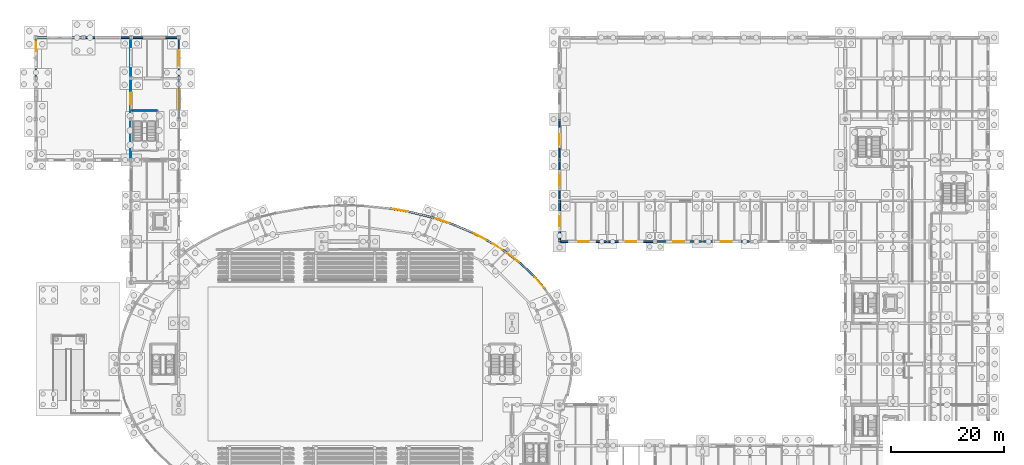
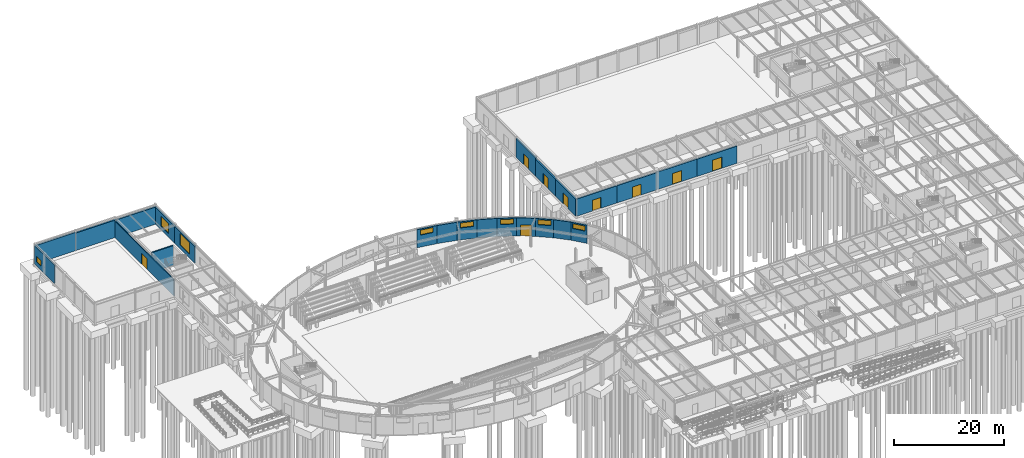
# One storey, part 61 of 93: 24 walls, 9 doors, 8 windows, 17 openings.
"""IFC4 building model written with IfcOpenShell, lengths in metres."""

from ifc_helpers import new_model, si_unit, derived_unit, direction, frame, frame_2d, origin, place, context, subcontext, project, spatial, rectangle, extrude, material, layer, layer_set, type_object, element, fill, save


model = new_model("IFC4")

# Units and contexts
model_context = context("Model", 3, precision=1e-05, world=origin(), true_north=direction((0.0, 1.0)))
body_context = subcontext(model_context, "Body", "Model", "MODEL_VIEW")
ifc_project = project(units=[si_unit("LENGTHUNIT", "METRE"), si_unit("AREAUNIT", "SQUARE_METRE"), si_unit("VOLUMEUNIT", "CUBIC_METRE"), si_unit("PLANEANGLEUNIT", "RADIAN"), si_unit("MASSUNIT", "GRAM", prefix="KILO"), derived_unit("THERMALTRANSMITTANCEUNIT", [(si_unit("MASSUNIT", "GRAM", prefix="KILO"), 1), (si_unit("TIMEUNIT", "SECOND"), -3), (si_unit("THERMODYNAMICTEMPERATUREUNIT", "KELVIN"), -1)])], contexts=[model_context])

# Site, building, storey
site_placement = place(None, origin())
site = spatial("IfcSite", under=ifc_project, at=site_placement, CompositionType="ELEMENT")
building_placement = place(site_placement, origin())
building = spatial("IfcBuilding", under=site, at=building_placement, Name="Kharveza Railside Sports Centre", CompositionType="ELEMENT")
storey_placement = place(building_placement, origin())
storey = spatial("IfcBuildingStorey", under=building, at=storey_placement, Name="L00", CompositionType="ELEMENT", Elevation=0.0)

# Walls
ifc_material_1 = material(Name="Acoustic mineral-wool metal cladding panel")
ifc_layer_1 = layer(ifc_material_1, 0.340087890625, Name="Acoustic mineral-wool metal cladding panel")
ifc_layer_set_1 = layer_set([ifc_layer_1], Name="Acoustic mineral-wool metal cladding panel")
wall_type_1 = type_object("IfcWallType", Name="WL-AC340", PredefinedType="STANDARD", material=ifc_layer_set_1)
wall_1_placement = place(storey_placement, frame((25.199951171875, 108.0, 0.0), z_axis=(0.0, 0.0, 1.0), x_axis=(-1.0, 0.0, 0.0)))
element("IfcWall", 1, at=wall_1_placement, inside=storey, type_object=wall_type_1, Name="WL-EXT-L00-074", PredefinedType="STANDARD", context=body_context, shape_type="SweptSolid", body=[
    extrude(rectangle(XDim=8.39990234375, YDim=0.340087890625, at=frame_2d((4.199951171875, 0.0))), origin(), (0.0, 0.0, 1.0), 3.804931640625),
])
wall_2_placement = place(storey_placement, frame((16.800048828125, 108.0, 0.0), z_axis=(0.0, 0.0, 1.0), x_axis=(-1.0, 0.0, 0.0)))
element("IfcWall", 2, at=wall_2_placement, inside=storey, type_object=wall_type_1, Name="WL-EXT-L00-075", PredefinedType="STANDARD", context=body_context, shape_type="SweptSolid", body=[
    extrude(rectangle(XDim=8.400146484375, YDim=0.340087890625, at=frame_2d((4.2001953125, 0.0))), origin(), (0.0, 0.0, 1.0), 3.864990234375),
])
wall_3_placement = place(storey_placement, frame((8.39990234375, 108.0, 0.0), z_axis=(0.0, 0.0, 1.0), x_axis=(-1.0, 0.0, 0.0)))
element("IfcWall", 3, at=wall_3_placement, inside=storey, type_object=wall_type_1, Name="WL-EXT-L00-076", PredefinedType="STANDARD", context=body_context, shape_type="SweptSolid", body=[
    extrude(rectangle(XDim=8.39990234375, YDim=0.340087890625, at=frame_2d((4.199951171875, 0.0))), origin(), (0.0, 0.0, 1.0), 4.044921875),
])
ifc_material_2 = material(Name="Concrete C35/45", Category="concrete")
ifc_layer_2 = layer(ifc_material_2, 0.300048828125, Name="Concrete C35/45")
ifc_layer_set_2 = layer_set([ifc_layer_2], Name="Concrete C35/45")
wall_type_2 = type_object("IfcWallType", Name="WL-CR300", PredefinedType="SHEAR", material=ifc_layer_set_2)
wall_4_placement = place(storey_placement, frame((21.449951171875, 95.14990234375, 0.0), z_axis=(0.0, 0.0, 1.0), x_axis=(-1.0, 0.0, 0.0)))
element("IfcWall", 4, at=wall_4_placement, inside=storey, type_object=wall_type_2, Name="WL-CORE-ST6-L00-N", PredefinedType="SHEAR", context=body_context, shape_type="SweptSolid", body=[
    extrude(rectangle(XDim=4.5, YDim=0.300048828125, at=frame_2d((2.25, 0.0))), origin(), (0.0, 0.0, 1.0), 4.320068359375),
])

# Wall, opening, window
ifc_material_3 = material(Name="Precast concrete C40/50", Category="concrete")
ifc_layer_3 = layer(ifc_material_3, 0.360107421875, Name="Precast concrete C40/50")
ifc_layer_set_3 = layer_set([ifc_layer_3], Name="Precast concrete C40/50")
wall_type_3 = type_object("IfcWallType", Name="WL-DR360", PredefinedType="STANDARD", material=ifc_layer_set_3)
wall_5_placement = place(storey_placement, frame((89.876953125, 63.59912109375, 0.0), z_axis=(0.0, 0.0, 1.0), x_axis=(-0.650389538769, 0.759600847722, 0.0)))
wall_5 = element("IfcWall", 5, at=wall_5_placement, inside=storey, type_object=wall_type_3, Name="WL-DRUM-L00-06", PredefinedType="STANDARD", context=body_context, shape_type="SweptSolid", body=[
    extrude(rectangle(XDim=3.102783203125, YDim=0.360107421875, at=frame_2d((1.55126953125, 0.0))), origin(), (0.0, 0.0, 1.0), 4.010009765625),
])
opening_1_placement = place(wall_5_placement, frame((0.351318359375, 0.0, 2.64990234375)))
opening_1 = element("IfcOpeningElement", 6, at=opening_1_placement, cuts=wall_5, Name="Opening WN09", PredefinedType="OPENING", context=body_context, shape_type="SweptSolid", body=[
    extrude(rectangle(XDim=2.39990234375, YDim=1.10009765625, at=frame_2d((1.199951171875, 0.550048828125))), frame((0.0, 0.205078125, 0.0), z_axis=(0.0, -1.0, 0.0), x_axis=(1.0, 0.0, 0.0)), (0.0, 0.0, 1.0), 0.409912109375),
])
ifc_material_4 = material(Name="Low-E solar-control laminated glass", Category="glass")
window_type_1 = type_object("IfcWindowType", Name="WN-F09", PartitioningType="SINGLE_PANEL", PredefinedType="WINDOW", material=ifc_material_4)
window_1_placement = place(opening_1_placement, origin())
window_1 = element("IfcWindow", 7, at=window_1_placement, inside=storey, type_object=window_type_1, Name="WN-DRUM-CL-06", OverallHeight=1.10009765625, OverallWidth=2.39990234375, PartitioningType="SINGLE_PANEL", PredefinedType="WINDOW", context=body_context, shape_type="SweptSolid", body=[
    extrude(rectangle(XDim=2.39990234375, YDim=1.10009765625, at=frame_2d((1.199951171875, 0.550048828125))), frame((0.0, 0.030029296875, 0.0), z_axis=(0.0, -1.0, 0.0), x_axis=(1.0, 0.0, 0.0)), (0.0, 0.0, 1.0), 0.06005859375),
])
fill(opening_1, window_1)

# Wall
wall_6_placement = place(storey_placement, frame((87.85888671875, 65.9560546875, 0.0), z_axis=(0.0, 0.0, 1.0), x_axis=(-0.727236314573, 0.686387166814, 0.0)))
element("IfcWall", 8, at=wall_6_placement, inside=storey, type_object=wall_type_3, Name="WL-DRUM-L00-07", PredefinedType="STANDARD", context=body_context, shape_type="SweptSolid", body=[
    extrude(rectangle(XDim=3.21533203125, YDim=0.360107421875, at=frame_2d((1.607666015625, 0.0))), origin(), (0.0, 0.0, 1.0), 4.010009765625),
])

# Wall, opening, window
wall_7_placement = place(storey_placement, frame((85.5205078125, 68.1630859375, 0.0), z_axis=(0.0, 0.0, 1.0), x_axis=(-0.791459061119, 0.611222181022, 0.0)))
wall_7 = element("IfcWall", 9, at=wall_7_placement, inside=storey, type_object=wall_type_3, Name="WL-DRUM-L00-08", PredefinedType="STANDARD", context=body_context, shape_type="SweptSolid", body=[
    extrude(rectangle(XDim=3.330810546875, YDim=0.360107421875, at=frame_2d((1.66552734375, 0.0))), origin(), (0.0, 0.0, 1.0), 4.010009765625),
])
opening_2_placement = place(wall_7_placement, frame((0.46533203125, 0.0, 2.64990234375)))
opening_2 = element("IfcOpeningElement", 10, at=opening_2_placement, cuts=wall_7, Name="Opening WN09", PredefinedType="OPENING", context=body_context, shape_type="SweptSolid", body=[
    extrude(rectangle(XDim=2.39990234375, YDim=1.10009765625, at=frame_2d((1.199951171875, 0.550048828125))), frame((0.0, 0.205078125, 0.0), z_axis=(0.0, -1.0, 0.0), x_axis=(1.0, 0.0, 0.0)), (0.0, 0.0, 1.0), 0.409912109375),
])
window_2_placement = place(opening_2_placement, origin())
window_2 = element("IfcWindow", 11, at=window_2_placement, inside=storey, type_object=window_type_1, Name="WN-DRUM-CL-08", OverallHeight=1.10009765625, OverallWidth=2.39990234375, PartitioningType="SINGLE_PANEL", PredefinedType="WINDOW", context=body_context, shape_type="SweptSolid", body=[
    extrude(rectangle(XDim=2.39990234375, YDim=1.10009765625, at=frame_2d((1.199951171875, 0.550048828125))), frame((0.0, 0.030029296875, 0.0), z_axis=(0.0, -1.0, 0.0), x_axis=(1.0, 0.0, 0.0)), (0.0, 0.0, 1.0), 0.06005859375),
])
fill(opening_2, window_2)

# Wall, opening, door
wall_8_placement = place(storey_placement, frame((82.88427734375, 70.198974609375, 0.0), z_axis=(0.0, 0.0, 1.0), x_axis=(-0.844399097538, 0.535714629329, 0.0)))
wall_8 = element("IfcWall", 12, at=wall_8_placement, inside=storey, type_object=wall_type_3, Name="WL-DRUM-L00-09", PredefinedType="STANDARD", context=body_context, shape_type="SweptSolid", body=[
    extrude(rectangle(XDim=3.4443359375, YDim=0.360107421875, at=frame_2d((1.72216796875, 0.0))), origin(), (0.0, 0.0, 1.0), 4.010009765625),
])
opening_3_placement = place(wall_8_placement, frame((0.722412109375, 0.0, 0.0)))
opening_3 = element("IfcOpeningElement", 13, at=opening_3_placement, cuts=wall_8, Name="Opening D02", PredefinedType="OPENING", context=body_context, shape_type="SweptSolid", body=[
    extrude(rectangle(XDim=2.0, YDim=2.5, at=frame_2d((1.0, 1.25))), frame((0.0, 0.205078125, 0.0), z_axis=(0.0, -1.0, 0.0), x_axis=(1.0, 0.0, 0.0)), (0.0, 0.0, 1.0), 0.409912109375),
])
ifc_material_5 = material(Name="Anodised aluminium 6063-T6", Category="aluminium")
door_type_1 = type_object("IfcDoorType", Name="DR-EX02", OperationType="NOTDEFINED", PredefinedType="DOOR", material=ifc_material_5)
door_1_placement = place(opening_3_placement, frame((2.0, 0.0, 0.0), z_axis=(0.0, 0.0, 1.0), x_axis=(-1.0, 0.0, 0.0)))
door_1 = element("IfcDoor", 14, at=door_1_placement, inside=storey, type_object=door_type_1, Name="DR-DRUM-EX-09", OperationType="DOUBLE_DOOR_SINGLE_SWING", OverallHeight=2.5, OverallWidth=2.0, PredefinedType="DOOR", context=body_context, shape_type="SweptSolid", body=[
    extrude(rectangle(XDim=2.0, YDim=2.5, at=frame_2d((1.0, 1.25))), frame((0.0, 0.02490234375, 0.0), z_axis=(0.0, -1.0, 0.0), x_axis=(1.0, 0.0, 0.0)), (0.0, 0.0, 1.0), 0.050048828125),
])
fill(opening_3, door_1)

# Wall, opening, window
wall_9_placement = place(storey_placement, frame((79.975830078125, 72.044189453125, 0.0), z_axis=(0.0, 0.0, 1.0), x_axis=(-0.887520396844, 0.460768429024, 0.0)))
wall_9 = element("IfcWall", 15, at=wall_9_placement, inside=storey, type_object=wall_type_3, Name="WL-DRUM-L00-10", PredefinedType="STANDARD", context=body_context, shape_type="SweptSolid", body=[
    extrude(rectangle(XDim=3.552734375, YDim=0.360107421875, at=frame_2d((1.7763671875, 0.0))), origin(), (0.0, 0.0, 1.0), 4.010009765625),
])
opening_4_placement = place(wall_9_placement, frame((0.576171875, 0.0, 2.64990234375)))
opening_4 = element("IfcOpeningElement", 16, at=opening_4_placement, cuts=wall_9, Name="Opening WN09", PredefinedType="OPENING", context=body_context, shape_type="SweptSolid", body=[
    extrude(rectangle(XDim=2.39990234375, YDim=1.10009765625, at=frame_2d((1.199951171875, 0.550048828125))), frame((0.0, 0.205078125, 0.0), z_axis=(0.0, -1.0, 0.0), x_axis=(1.0, 0.0, 0.0)), (0.0, 0.0, 1.0), 0.409912109375),
])
window_3_placement = place(opening_4_placement, origin())
window_3 = element("IfcWindow", 17, at=window_3_placement, inside=storey, type_object=window_type_1, Name="WN-DRUM-CL-10", OverallHeight=1.10009765625, OverallWidth=2.39990234375, PartitioningType="SINGLE_PANEL", PredefinedType="WINDOW", context=body_context, shape_type="SweptSolid", body=[
    extrude(rectangle(XDim=2.39990234375, YDim=1.10009765625, at=frame_2d((1.199951171875, 0.550048828125))), frame((0.0, 0.030029296875, 0.0), z_axis=(0.0, -1.0, 0.0), x_axis=(1.0, 0.0, 0.0)), (0.0, 0.0, 1.0), 0.06005859375),
])
fill(opening_4, window_3)

# Wall
wall_10_placement = place(storey_placement, frame((76.82275390625, 73.68115234375, 0.0), z_axis=(0.0, 0.0, 1.0), x_axis=(-0.922130522386, 0.386878921219, 0.0)))
element("IfcWall", 18, at=wall_10_placement, inside=storey, type_object=wall_type_3, Name="WL-DRUM-L00-11", PredefinedType="STANDARD", context=body_context, shape_type="SweptSolid", body=[
    extrude(rectangle(XDim=3.6513671875, YDim=0.360107421875, at=frame_2d((1.82568359375, 0.0))), origin(), (0.0, 0.0, 1.0), 4.010009765625),
])

# Wall, opening, window
wall_11_placement = place(storey_placement, frame((73.455810546875, 75.09375, 0.0), z_axis=(0.0, 0.0, 1.0), x_axis=(-0.949327915917, 0.314287301781, 0.0)))
wall_11 = element("IfcWall", 19, at=wall_11_placement, inside=storey, type_object=wall_type_3, Name="WL-DRUM-L00-12", PredefinedType="STANDARD", context=body_context, shape_type="SweptSolid", body=[
    extrude(rectangle(XDim=3.738037109375, YDim=0.360107421875, at=frame_2d((1.869140625, 0.0))), origin(), (0.0, 0.0, 1.0), 4.010009765625),
])
opening_5_placement = place(wall_11_placement, frame((0.6689453125, 0.0, 2.64990234375)))
opening_5 = element("IfcOpeningElement", 20, at=opening_5_placement, cuts=wall_11, Name="Opening WN09", PredefinedType="OPENING", context=body_context, shape_type="SweptSolid", body=[
    extrude(rectangle(XDim=2.39990234375, YDim=1.10009765625, at=frame_2d((1.199951171875, 0.550048828125))), frame((0.0, 0.205078125, 0.0), z_axis=(0.0, -1.0, 0.0), x_axis=(1.0, 0.0, 0.0)), (0.0, 0.0, 1.0), 0.409912109375),
])
window_4_placement = place(opening_5_placement, origin())
window_4 = element("IfcWindow", 21, at=window_4_placement, inside=storey, type_object=window_type_1, Name="WN-DRUM-CL-12", OverallHeight=1.10009765625, OverallWidth=2.39990234375, PartitioningType="SINGLE_PANEL", PredefinedType="WINDOW", context=body_context, shape_type="SweptSolid", body=[
    extrude(rectangle(XDim=2.39990234375, YDim=1.10009765625, at=frame_2d((1.199951171875, 0.550048828125))), frame((0.0, 0.030029296875, 0.0), z_axis=(0.0, -1.0, 0.0), x_axis=(1.0, 0.0, 0.0)), (0.0, 0.0, 1.0), 0.06005859375),
])
fill(opening_5, window_4)

# Wall
wall_12_placement = place(storey_placement, frame((69.9072265625, 76.2685546875, 0.0), z_axis=(0.0, 0.0, 1.0), x_axis=(-0.970029313946, 0.242987921686, 0.0)))
element("IfcWall", 22, at=wall_12_placement, inside=storey, type_object=wall_type_3, Name="WL-DRUM-L00-13", PredefinedType="STANDARD", context=body_context, shape_type="SweptSolid", body=[
    extrude(rectangle(XDim=3.81005859375, YDim=0.360107421875, at=frame_2d((1.905029296875, 0.0))), origin(), (0.0, 0.0, 1.0), 4.010009765625),
])

# Wall, opening, window
wall_13_placement = place(storey_placement, frame((66.21142578125, 77.1943359375, 0.0), z_axis=(0.0, 0.0, 1.0), x_axis=(-0.984971163925, 0.172718864739, 0.0)))
wall_13 = element("IfcWall", 23, at=wall_13_placement, inside=storey, type_object=wall_type_3, Name="WL-DRUM-L00-14", PredefinedType="STANDARD", context=body_context, shape_type="SweptSolid", body=[
    extrude(rectangle(XDim=3.865966796875, YDim=0.360107421875, at=frame_2d((1.93310546875, 0.0))), origin(), (0.0, 0.0, 1.0), 4.010009765625),
])
opening_6_placement = place(wall_13_placement, frame((0.73291015625, 0.0, 2.64990234375)))
opening_6 = element("IfcOpeningElement", 24, at=opening_6_placement, cuts=wall_13, Name="Opening WN09", PredefinedType="OPENING", context=body_context, shape_type="SweptSolid", body=[
    extrude(rectangle(XDim=2.39990234375, YDim=1.10009765625, at=frame_2d((1.199951171875, 0.550048828125))), frame((0.0, 0.205078125, 0.0), z_axis=(0.0, -1.0, 0.0), x_axis=(1.0, 0.0, 0.0)), (0.0, 0.0, 1.0), 0.409912109375),
])
window_5_placement = place(opening_6_placement, origin())
window_5 = element("IfcWindow", 25, at=window_5_placement, inside=storey, type_object=window_type_1, Name="WN-DRUM-CL-14", OverallHeight=1.10009765625, OverallWidth=2.39990234375, PartitioningType="SINGLE_PANEL", PredefinedType="WINDOW", context=body_context, shape_type="SweptSolid", body=[
    extrude(rectangle(XDim=2.39990234375, YDim=1.10009765625, at=frame_2d((1.199951171875, 0.550048828125))), frame((0.0, 0.030029296875, 0.0), z_axis=(0.0, -1.0, 0.0), x_axis=(1.0, 0.0, 0.0)), (0.0, 0.0, 1.0), 0.06005859375),
])
fill(opening_6, window_5)

# Wall, opening, door
ifc_layer_4 = layer(ifc_material_1, 0.2900390625, Name="Acoustic mineral-wool metal cladding panel")
ifc_layer_set_4 = layer_set([ifc_layer_4], Name="Acoustic mineral-wool metal cladding panel")
wall_type_4 = type_object("IfcWallType", Name="WL-EX290", PredefinedType="STANDARD", material=ifc_layer_set_4)
wall_14_placement = place(storey_placement, frame((92.39990234375, 93.60009765625, 0.0), z_axis=(0.0, 0.0, 1.0), x_axis=(0.0, -1.0, 0.0)))
wall_14 = element("IfcWall", 26, at=wall_14_placement, inside=storey, type_object=wall_type_4, Name="WL-EXT-L00-040", PredefinedType="STANDARD", context=body_context, shape_type="SweptSolid", body=[
    extrude(rectangle(XDim=7.2001953125, YDim=0.2900390625, at=frame_2d((3.60009765625, 0.0))), origin(), (0.0, 0.0, 1.0), 4.175048828125),
])
opening_7_placement = place(wall_14_placement, frame((2.699951171875, 0.0, 0.0)))
opening_7 = element("IfcOpeningElement", 27, at=opening_7_placement, cuts=wall_14, Name="Opening D03", PredefinedType="OPENING", context=body_context, shape_type="SweptSolid", body=[
    extrude(rectangle(XDim=1.800048828125, YDim=2.39990234375, at=frame_2d((0.89990234375, 1.199951171875))), frame((0.0, 0.169921875, 0.0), z_axis=(0.0, -1.0, 0.0), x_axis=(1.0, 0.0, 0.0)), (0.0, 0.0, 1.0), 0.33984375),
])
door_type_2 = type_object("IfcDoorType", Name="DR-EX03", OperationType="NOTDEFINED", PredefinedType="DOOR", material=ifc_material_5)
door_2_placement = place(opening_7_placement, frame((1.800048828125, 0.0, 0.0), z_axis=(0.0, 0.0, 1.0), x_axis=(-1.0, 0.0, 0.0)))
door_2 = element("IfcDoor", 28, at=door_2_placement, inside=storey, type_object=door_type_2, Name="DR-L00-EX-017", OperationType="DOUBLE_DOOR_SINGLE_SWING", OverallHeight=2.39990234375, OverallWidth=1.800048828125, PredefinedType="DOOR", context=body_context, shape_type="SweptSolid", body=[
    extrude(rectangle(XDim=1.800048828125, YDim=2.39990234375, at=frame_2d((0.89990234375, 1.199951171875))), frame((0.0, 0.02490234375, 0.0), z_axis=(0.0, -1.0, 0.0), x_axis=(1.0, 0.0, 0.0)), (0.0, 0.0, 1.0), 0.050048828125),
])
fill(opening_7, door_2)

wall_15_placement = place(storey_placement, frame((92.39990234375, 86.39990234375, 0.0), z_axis=(0.0, 0.0, 1.0), x_axis=(0.0, -1.0, 0.0)))
wall_15 = element("IfcWall", 29, at=wall_15_placement, inside=storey, type_object=wall_type_4, Name="WL-EXT-L00-041", PredefinedType="STANDARD", context=body_context, shape_type="SweptSolid", body=[
    extrude(rectangle(XDim=7.199951171875, YDim=0.2900390625, at=frame_2d((3.60009765625, 0.0))), origin(), (0.0, 0.0, 1.0), 3.804931640625),
])
opening_8_placement = place(wall_15_placement, frame((2.699951171875, 0.0, 0.0)))
opening_8 = element("IfcOpeningElement", 30, at=opening_8_placement, cuts=wall_15, Name="Opening D03", PredefinedType="OPENING", context=body_context, shape_type="SweptSolid", body=[
    extrude(rectangle(XDim=1.800048828125, YDim=2.39990234375, at=frame_2d((0.89990234375, 1.199951171875))), frame((0.0, 0.169921875, 0.0), z_axis=(0.0, -1.0, 0.0), x_axis=(1.0, 0.0, 0.0)), (0.0, 0.0, 1.0), 0.33984375),
])
door_3_placement = place(opening_8_placement, frame((1.800048828125, 0.0, 0.0), z_axis=(0.0, 0.0, 1.0), x_axis=(-1.0, 0.0, 0.0)))
door_3 = element("IfcDoor", 31, at=door_3_placement, inside=storey, type_object=door_type_2, Name="DR-L00-EX-018", OperationType="DOUBLE_DOOR_SINGLE_SWING", OverallHeight=2.39990234375, OverallWidth=1.800048828125, PredefinedType="DOOR", context=body_context, shape_type="SweptSolid", body=[
    extrude(rectangle(XDim=1.800048828125, YDim=2.39990234375, at=frame_2d((0.89990234375, 1.199951171875))), frame((0.0, 0.02490234375, 0.0), z_axis=(0.0, -1.0, 0.0), x_axis=(1.0, 0.0, 0.0)), (0.0, 0.0, 1.0), 0.050048828125),
])
fill(opening_8, door_3)

# Wall, opening, window
wall_16_placement = place(storey_placement, frame((25.199951171875, 93.60009765625, 0.0), z_axis=(0.0, 0.0, 1.0), x_axis=(0.0, 1.0, 0.0)))
wall_16 = element("IfcWall", 32, at=wall_16_placement, inside=storey, type_object=wall_type_4, Name="WL-EXT-L00-072", PredefinedType="STANDARD", context=body_context, shape_type="SweptSolid", body=[
    extrude(rectangle(XDim=7.199951171875, YDim=0.2900390625, at=frame_2d((3.60009765625, 0.0))), origin(), (0.0, 0.0, 1.0), 3.804931640625),
])
opening_9_placement = place(wall_16_placement, frame((1.89990234375, 0.0, 0.85009765625)))
opening_9 = element("IfcOpeningElement", 33, at=opening_9_placement, cuts=wall_16, Name="Opening WN13", PredefinedType="OPENING", context=body_context, shape_type="SweptSolid", body=[
    extrude(rectangle(XDim=3.39990234375, YDim=2.60009765625, at=frame_2d((1.699951171875, 1.300048828125))), frame((0.0, 0.169921875, 0.0), z_axis=(0.0, -1.0, 0.0), x_axis=(1.0, 0.0, 0.0)), (0.0, 0.0, 1.0), 0.33984375),
])
window_type_2 = type_object("IfcWindowType", Name="WN-F13", PartitioningType="SINGLE_PANEL", PredefinedType="WINDOW", material=ifc_material_4)
window_6_placement = place(opening_9_placement, origin())
window_6 = element("IfcWindow", 34, at=window_6_placement, inside=storey, type_object=window_type_2, Name="WN-EXT-L00-023", OverallHeight=2.60009765625, OverallWidth=3.39990234375, PartitioningType="SINGLE_PANEL", PredefinedType="WINDOW", context=body_context, shape_type="SweptSolid", body=[
    extrude(rectangle(XDim=3.39990234375, YDim=2.60009765625, at=frame_2d((1.699951171875, 1.300048828125))), frame((0.0, 0.030029296875, 0.0), z_axis=(0.0, -1.0, 0.0), x_axis=(1.0, 0.0, 0.0)), (0.0, 0.0, 1.0), 0.06005859375),
])
fill(opening_9, window_6)

wall_17_placement = place(storey_placement, frame((25.199951171875, 100.800048828125, 0.0), z_axis=(0.0, 0.0, 1.0), x_axis=(0.0, 1.0, 0.0)))
wall_17 = element("IfcWall", 35, at=wall_17_placement, inside=storey, type_object=wall_type_4, Name="WL-EXT-L00-073", PredefinedType="STANDARD", context=body_context, shape_type="SweptSolid", body=[
    extrude(rectangle(XDim=7.199951171875, YDim=0.2900390625, at=frame_2d((3.60009765625, 0.0))), origin(), (0.0, 0.0, 1.0), 3.804931640625),
])
opening_10_placement = place(wall_17_placement, frame((2.199951171875, 0.0, 0.85009765625)))
opening_10 = element("IfcOpeningElement", 36, at=opening_10_placement, cuts=wall_17, Name="Opening WN12", PredefinedType="OPENING", context=body_context, shape_type="SweptSolid", body=[
    extrude(rectangle(XDim=2.800048828125, YDim=2.199951171875, at=frame_2d((1.39990234375, 1.10009765625))), frame((0.0, 0.169921875, 0.0), z_axis=(0.0, -1.0, 0.0), x_axis=(1.0, 0.0, 0.0)), (0.0, 0.0, 1.0), 0.33984375),
])
window_type_3 = type_object("IfcWindowType", Name="WN-F12", PartitioningType="SINGLE_PANEL", PredefinedType="WINDOW", material=ifc_material_4)
window_7_placement = place(opening_10_placement, origin())
window_7 = element("IfcWindow", 37, at=window_7_placement, inside=storey, type_object=window_type_3, Name="WN-EXT-L00-024", OverallHeight=2.199951171875, OverallWidth=2.800048828125, PartitioningType="SINGLE_PANEL", PredefinedType="WINDOW", context=body_context, shape_type="SweptSolid", body=[
    extrude(rectangle(XDim=2.800048828125, YDim=2.199951171875, at=frame_2d((1.39990234375, 1.10009765625))), frame((0.0, 0.030029296875, 0.0), z_axis=(0.0, -1.0, 0.0), x_axis=(1.0, 0.0, 0.0)), (0.0, 0.0, 1.0), 0.06005859375),
])
fill(opening_10, window_7)

wall_18_placement = place(storey_placement, frame((0.0, 108.0, 0.0), z_axis=(0.0, 0.0, 1.0), x_axis=(0.0, -1.0, 0.0)))
wall_18 = element("IfcWall", 38, at=wall_18_placement, inside=storey, type_object=wall_type_4, Name="WL-EXT-L00-077", PredefinedType="STANDARD", context=body_context, shape_type="SweptSolid", body=[
    extrude(rectangle(XDim=7.199951171875, YDim=0.2900390625, at=frame_2d((3.60009765625, 0.0))), origin(), (0.0, 0.0, 1.0), 4.044921875),
])
opening_11_placement = place(wall_18_placement, frame((0.75, 0.0, 0.85009765625)))
opening_11 = element("IfcOpeningElement", 39, at=opening_11_placement, cuts=wall_18, Name="Opening WN25", PredefinedType="OPENING", context=body_context, shape_type="SweptSolid", body=[
    extrude(rectangle(XDim=1.699951171875, YDim=1.25, at=frame_2d((0.85009765625, 0.625))), frame((0.0, 0.169921875, 0.0), z_axis=(0.0, -1.0, 0.0), x_axis=(1.0, 0.0, 0.0)), (0.0, 0.0, 1.0), 0.33984375),
])
window_type_4 = type_object("IfcWindowType", Name="WN-Z09", PartitioningType="SINGLE_PANEL", PredefinedType="WINDOW", material=ifc_material_4)
window_8_placement = place(opening_11_placement, origin())
window_8 = element("IfcWindow", 40, at=window_8_placement, inside=storey, type_object=window_type_4, Name="WN-EXT-L00-025", OverallHeight=1.25, OverallWidth=1.699951171875, PartitioningType="SINGLE_PANEL", PredefinedType="WINDOW", context=body_context, shape_type="SweptSolid", body=[
    extrude(rectangle(XDim=1.699951171875, YDim=1.25, at=frame_2d((0.85009765625, 0.625))), frame((0.0, 0.030029296875, 0.0), z_axis=(0.0, -1.0, 0.0), x_axis=(1.0, 0.0, 0.0)), (0.0, 0.0, 1.0), 0.06005859375),
])
fill(opening_11, window_8)

# Wall, opening, door
ifc_layer_5 = layer(ifc_material_3, 0.320068359375, Name="Precast concrete C40/50")
ifc_layer_set_5 = layer_set([ifc_layer_5], Name="Precast concrete C40/50")
wall_type_5 = type_object("IfcWallType", Name="WL-EX320", PredefinedType="STANDARD", material=ifc_layer_set_5)
wall_19_placement = place(storey_placement, frame((92.39990234375, 79.199951171875, 0.0), z_axis=(0.0, 0.0, 1.0), x_axis=(0.0, -1.0, 0.0)))
wall_19 = element("IfcWall", 41, at=wall_19_placement, inside=storey, type_object=wall_type_5, Name="WL-EXT-L00-042", PredefinedType="STANDARD", context=body_context, shape_type="SweptSolid", body=[
    extrude(rectangle(XDim=7.199951171875, YDim=0.320068359375, at=frame_2d((3.60009765625, 0.0))), origin(), (0.0, 0.0, 1.0), 3.804931640625),
])
opening_12_placement = place(wall_19_placement, frame((2.699951171875, 0.0, 0.0)))
opening_12 = element("IfcOpeningElement", 42, at=opening_12_placement, cuts=wall_19, Name="Opening D03", PredefinedType="OPENING", context=body_context, shape_type="SweptSolid", body=[
    extrude(rectangle(XDim=1.800048828125, YDim=2.39990234375, at=frame_2d((0.89990234375, 1.199951171875))), frame((0.0, 0.18505859375, 0.0), z_axis=(0.0, -1.0, 0.0), x_axis=(1.0, 0.0, 0.0)), (0.0, 0.0, 1.0), 0.369873046875),
])
door_4_placement = place(opening_12_placement, frame((1.800048828125, 0.0, 0.0), z_axis=(0.0, 0.0, 1.0), x_axis=(-1.0, 0.0, 0.0)))
door_4 = element("IfcDoor", 43, at=door_4_placement, inside=storey, type_object=door_type_2, Name="DR-L00-EX-019", OperationType="DOUBLE_DOOR_SINGLE_SWING", OverallHeight=2.39990234375, OverallWidth=1.800048828125, PredefinedType="DOOR", context=body_context, shape_type="SweptSolid", body=[
    extrude(rectangle(XDim=1.800048828125, YDim=2.39990234375, at=frame_2d((0.89990234375, 1.199951171875))), frame((0.0, 0.02490234375, 0.0), z_axis=(0.0, -1.0, 0.0), x_axis=(1.0, 0.0, 0.0)), (0.0, 0.0, 1.0), 0.050048828125),
])
fill(opening_12, door_4)

wall_20_placement = place(storey_placement, frame((92.39990234375, 72.0, 0.0), z_axis=(0.0, 0.0, 1.0), x_axis=(1.0, 0.0, 0.0)))
wall_20 = element("IfcWall", 44, at=wall_20_placement, inside=storey, type_object=wall_type_5, Name="WL-EXT-L00-043", PredefinedType="STANDARD", context=body_context, shape_type="SweptSolid", body=[
    extrude(rectangle(XDim=8.400146484375, YDim=0.320068359375, at=frame_2d((4.2001953125, 0.0))), origin(), (0.0, 0.0, 1.0), 3.804931640625),
])
opening_13_placement = place(wall_20_placement, frame((3.300048828125, 0.0, 0.0)))
opening_13 = element("IfcOpeningElement", 45, at=opening_13_placement, cuts=wall_20, Name="Opening D03", PredefinedType="OPENING", context=body_context, shape_type="SweptSolid", body=[
    extrude(rectangle(XDim=1.800048828125, YDim=2.39990234375, at=frame_2d((0.89990234375, 1.199951171875))), frame((0.0, 0.18505859375, 0.0), z_axis=(0.0, -1.0, 0.0), x_axis=(1.0, 0.0, 0.0)), (0.0, 0.0, 1.0), 0.369873046875),
])
door_5_placement = place(opening_13_placement, frame((1.800048828125, 0.0, 0.0), z_axis=(0.0, 0.0, 1.0), x_axis=(-1.0, 0.0, 0.0)))
door_5 = element("IfcDoor", 46, at=door_5_placement, inside=storey, type_object=door_type_2, Name="DR-L00-EX-020", OperationType="DOUBLE_DOOR_SINGLE_SWING", OverallHeight=2.39990234375, OverallWidth=1.800048828125, PredefinedType="DOOR", context=body_context, shape_type="SweptSolid", body=[
    extrude(rectangle(XDim=1.800048828125, YDim=2.39990234375, at=frame_2d((0.89990234375, 1.199951171875))), frame((0.0, 0.02490234375, 0.0), z_axis=(0.0, -1.0, 0.0), x_axis=(1.0, 0.0, 0.0)), (0.0, 0.0, 1.0), 0.050048828125),
])
fill(opening_13, door_5)

wall_21_placement = place(storey_placement, frame((100.800048828125, 72.0, 0.0), z_axis=(0.0, 0.0, 1.0), x_axis=(1.0, 0.0, 0.0)))
wall_21 = element("IfcWall", 47, at=wall_21_placement, inside=storey, type_object=wall_type_5, Name="WL-EXT-L00-044", PredefinedType="STANDARD", context=body_context, shape_type="SweptSolid", body=[
    extrude(rectangle(XDim=8.39990234375, YDim=0.320068359375, at=frame_2d((4.199951171875, 0.0))), origin(), (0.0, 0.0, 1.0), 3.804931640625),
])
opening_14_placement = place(wall_21_placement, frame((3.300048828125, 0.0, 0.0)))
opening_14 = element("IfcOpeningElement", 48, at=opening_14_placement, cuts=wall_21, Name="Opening D03", PredefinedType="OPENING", context=body_context, shape_type="SweptSolid", body=[
    extrude(rectangle(XDim=1.800048828125, YDim=2.39990234375, at=frame_2d((0.89990234375, 1.199951171875))), frame((0.0, 0.18505859375, 0.0), z_axis=(0.0, -1.0, 0.0), x_axis=(1.0, 0.0, 0.0)), (0.0, 0.0, 1.0), 0.369873046875),
])
door_6_placement = place(opening_14_placement, frame((1.800048828125, 0.0, 0.0), z_axis=(0.0, 0.0, 1.0), x_axis=(-1.0, 0.0, 0.0)))
door_6 = element("IfcDoor", 49, at=door_6_placement, inside=storey, type_object=door_type_2, Name="DR-L00-EX-021", OperationType="DOUBLE_DOOR_SINGLE_SWING", OverallHeight=2.39990234375, OverallWidth=1.800048828125, PredefinedType="DOOR", context=body_context, shape_type="SweptSolid", body=[
    extrude(rectangle(XDim=1.800048828125, YDim=2.39990234375, at=frame_2d((0.89990234375, 1.199951171875))), frame((0.0, 0.02490234375, 0.0), z_axis=(0.0, -1.0, 0.0), x_axis=(1.0, 0.0, 0.0)), (0.0, 0.0, 1.0), 0.050048828125),
])
fill(opening_14, door_6)

wall_22_placement = place(storey_placement, frame((109.199951171875, 72.0, 0.0), z_axis=(0.0, 0.0, 1.0), x_axis=(1.0, 0.0, 0.0)))
wall_22 = element("IfcWall", 50, at=wall_22_placement, inside=storey, type_object=wall_type_5, Name="WL-EXT-L00-045", PredefinedType="STANDARD", context=body_context, shape_type="SweptSolid", body=[
    extrude(rectangle(XDim=8.400146484375, YDim=0.320068359375, at=frame_2d((4.2001953125, 0.0))), origin(), (0.0, 0.0, 1.0), 3.85498046875),
])
opening_15_placement = place(wall_22_placement, frame((3.22509765625, 0.0, 0.0)))
opening_15 = element("IfcOpeningElement", 51, at=opening_15_placement, cuts=wall_22, Name="Opening D32", PredefinedType="OPENING", context=body_context, shape_type="SweptSolid", body=[
    extrude(rectangle(XDim=1.949951171875, YDim=2.449951171875, at=frame_2d((0.97509765625, 1.22509765625))), frame((0.0, 0.18505859375, 0.0), z_axis=(0.0, -1.0, 0.0), x_axis=(1.0, 0.0, 0.0)), (0.0, 0.0, 1.0), 0.369873046875),
])
door_type_3 = type_object("IfcDoorType", Name="DR-Z08", OperationType="NOTDEFINED", PredefinedType="DOOR", material=ifc_material_5)
door_7_placement = place(opening_15_placement, frame((1.949951171875, 0.0, 0.0), z_axis=(0.0, 0.0, 1.0), x_axis=(-1.0, 0.0, 0.0)))
door_7 = element("IfcDoor", 52, at=door_7_placement, inside=storey, type_object=door_type_3, Name="DR-TRAIN-EX-022", OperationType="DOUBLE_DOOR_SINGLE_SWING", OverallHeight=2.449951171875, OverallWidth=1.949951171875, PredefinedType="DOOR", context=body_context, shape_type="SweptSolid", body=[
    extrude(rectangle(XDim=1.949951171875, YDim=2.449951171875, at=frame_2d((0.97509765625, 1.22509765625))), frame((0.0, 0.02490234375, 0.0), z_axis=(0.0, -1.0, 0.0), x_axis=(1.0, 0.0, 0.0)), (0.0, 0.0, 1.0), 0.050048828125),
])
fill(opening_15, door_7)

wall_23_placement = place(storey_placement, frame((117.60009765625, 72.0, 0.0), z_axis=(0.0, 0.0, 1.0), x_axis=(1.0, 0.0, 0.0)))
wall_23 = element("IfcWall", 53, at=wall_23_placement, inside=storey, type_object=wall_type_5, Name="WL-EXT-L00-046", PredefinedType="STANDARD", context=body_context, shape_type="SweptSolid", body=[
    extrude(rectangle(XDim=8.39990234375, YDim=0.320068359375, at=frame_2d((4.199951171875, 0.0))), origin(), (0.0, 0.0, 1.0), 3.804931640625),
])
opening_16_placement = place(wall_23_placement, frame((3.22509765625, 0.0, 0.0)))
opening_16 = element("IfcOpeningElement", 54, at=opening_16_placement, cuts=wall_23, Name="Opening D32", PredefinedType="OPENING", context=body_context, shape_type="SweptSolid", body=[
    extrude(rectangle(XDim=1.949951171875, YDim=2.449951171875, at=frame_2d((0.97509765625, 1.22509765625))), frame((0.0, 0.18505859375, 0.0), z_axis=(0.0, -1.0, 0.0), x_axis=(1.0, 0.0, 0.0)), (0.0, 0.0, 1.0), 0.369873046875),
])
door_8_placement = place(opening_16_placement, frame((1.949951171875, 0.0, 0.0), z_axis=(0.0, 0.0, 1.0), x_axis=(-1.0, 0.0, 0.0)))
door_8 = element("IfcDoor", 55, at=door_8_placement, inside=storey, type_object=door_type_3, Name="DR-TRAIN-EX-023", OperationType="DOUBLE_DOOR_SINGLE_SWING", OverallHeight=2.449951171875, OverallWidth=1.949951171875, PredefinedType="DOOR", context=body_context, shape_type="SweptSolid", body=[
    extrude(rectangle(XDim=1.949951171875, YDim=2.449951171875, at=frame_2d((0.97509765625, 1.22509765625))), frame((0.0, 0.02490234375, 0.0), z_axis=(0.0, -1.0, 0.0), x_axis=(1.0, 0.0, 0.0)), (0.0, 0.0, 1.0), 0.050048828125),
])
fill(opening_16, door_8)

ifc_material_6 = material(Name="Gypsum board acoustic stud partition")
ifc_layer_6 = layer(ifc_material_6, 0.175048828125, Name="Gypsum board acoustic stud partition")
ifc_layer_set_6 = layer_set([ifc_layer_6], Name="Gypsum board acoustic stud partition")
wall_type_6 = type_object("IfcWallType", Name="WL-PT175", PredefinedType="PARTITIONING", material=ifc_layer_set_6)
wall_24_placement = place(storey_placement, frame((16.699951171875, 86.550048828125, 0.0), z_axis=(0.0, 0.0, 1.0), x_axis=(0.0, 1.0, 0.0)))
wall_24 = element("IfcWall", 56, at=wall_24_placement, inside=storey, type_object=wall_type_6, Name="WL-INT-L00-011", PredefinedType="PARTITIONING", context=body_context, shape_type="SweptSolid", body=[
    extrude(rectangle(XDim=21.300048828125, YDim=0.175048828125, at=frame_2d((10.64990234375, 0.0))), origin(), (0.0, 0.0, 1.0), 3.6201171875),
])
opening_17_placement = place(wall_24_placement, frame((9.699951171875, 0.0, 0.0)))
opening_17 = element("IfcOpeningElement", 57, at=opening_17_placement, cuts=wall_24, Name="Opening D13", PredefinedType="OPENING", context=body_context, shape_type="SweptSolid", body=[
    extrude(rectangle(XDim=1.89990234375, YDim=2.35009765625, at=frame_2d((0.949951171875, 1.175048828125))), frame((0.0, 0.1123046875, 0.0), z_axis=(0.0, -1.0, 0.0), x_axis=(1.0, 0.0, 0.0)), (0.0, 0.0, 1.0), 0.224853515625),
])
ifc_material_7 = material(Name="Fire-rated hardwood door leaf", Category="wood")
door_type_4 = type_object("IfcDoorType", Name="DR-IN01", OperationType="NOTDEFINED", PredefinedType="DOOR", material=ifc_material_7)
door_9_placement = place(opening_17_placement, origin())
door_9 = element("IfcDoor", 58, at=door_9_placement, inside=storey, type_object=door_type_4, Name="DR-INT-L00-010", OperationType="DOUBLE_DOOR_SINGLE_SWING", OverallHeight=2.35009765625, OverallWidth=1.89990234375, PredefinedType="DOOR", context=body_context, shape_type="SweptSolid", body=[
    extrude(rectangle(XDim=1.89990234375, YDim=2.35009765625, at=frame_2d((0.949951171875, 1.175048828125))), frame((0.0, 0.02490234375, 0.0), z_axis=(0.0, -1.0, 0.0), x_axis=(1.0, 0.0, 0.0)), (0.0, 0.0, 1.0), 0.050048828125),
])
fill(opening_17, door_9)

save(model, "model.ifc")
